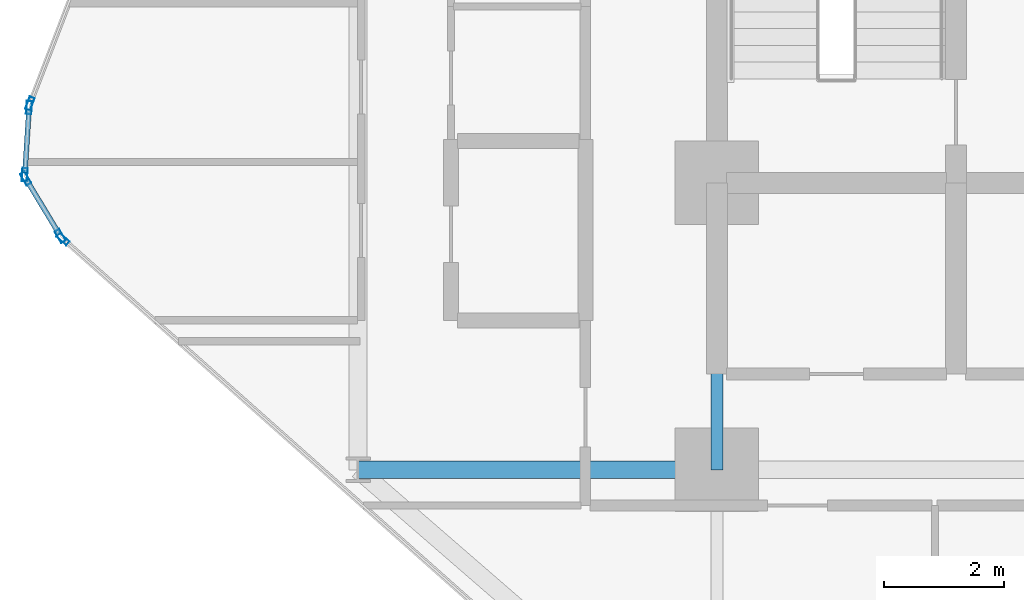
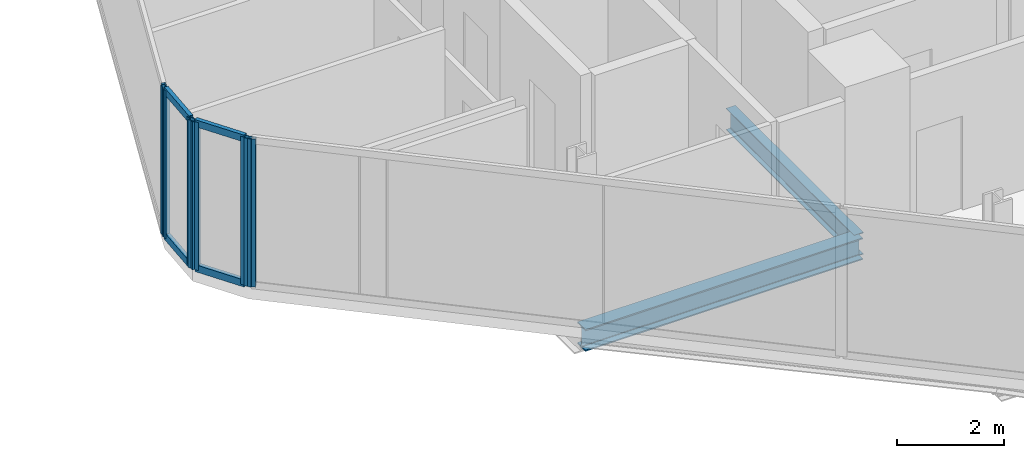
# One storey, part 5 of 33: 10 members, 2 beams, 4 elements without a shape of their own.
"""IFC4 building model written with IfcOpenShell, lengths in metres."""

from ifc_helpers import new_model, si_unit, direction, frame, origin, origin_2d, place, context, subcontext, project, spatial, hollow_rectangle, i_section, extrude, material, layer, layer_set, material_profile, profile_set, type_object, element, aggregate, save


model = new_model("IFC4")

# Units and contexts
model_context = context("Model", 3, precision=1e-05, world=origin(), true_north=direction((0.0, 1.0)))
body_context = subcontext(model_context, "Body", "Model", "MODEL_VIEW")
ifc_project = project(units=[si_unit("LENGTHUNIT", "METRE"), si_unit("AREAUNIT", "SQUARE_METRE"), si_unit("VOLUMEUNIT", "CUBIC_METRE"), si_unit("PLANEANGLEUNIT", "RADIAN"), si_unit("MASSUNIT", "GRAM", prefix="KILO")], contexts=[model_context])

# Site, building, storey
site_placement = place(None, origin())
site = spatial("IfcSite", under=ifc_project, at=site_placement, CompositionType="ELEMENT")
building_placement = place(site_placement, origin())
building = spatial("IfcBuilding", under=site, at=building_placement, Name="Keshet Zoharim Tower", CompositionType="ELEMENT")
storey_placement = place(building_placement, frame((0.0, 0.0, 35.10009765625)))
storey = spatial("IfcBuildingStorey", under=building, at=storey_placement, Name="L07", CompositionType="ELEMENT", Elevation=35.10009765625)

# Beams
ifc_material_1 = material(Name="Steel S355", Category="steel")
ifc_material_profile_1 = material_profile(ifc_material_1, i_section(OverallWidth=0.199951171875, OverallDepth=0.5, WebThickness=0.01025390625, FlangeThickness=0.01611328125, FilletRadius=0.02099609375, at=origin_2d()), Name="IPE500")
ifc_profile_set_1 = profile_set([ifc_material_profile_1], Name="Steel S355")
beam_type_1 = type_object("IfcBeamType", Name="BM-PRI-IP500", PredefinedType="BEAM", material=ifc_profile_set_1)
beam_1_placement = place(storey_placement, frame((15.0, 17.89990234375, -0.565185546875), z_axis=(0.0, 1.0, 0.0), x_axis=(-1.0, 0.0, 0.0)))
element("IfcBeam", 1, at=beam_1_placement, inside=storey, type_object=beam_type_1, Name="L07 Primary Girder Y-003", PredefinedType="BEAM", context=body_context, shape_type="SweptSolid", body=[
    extrude(i_section(OverallWidth=0.199951171875, OverallDepth=0.5, WebThickness=0.01025390625, FlangeThickness=0.01611328125, FilletRadius=0.02099609375, at=origin_2d()), origin(), (0.0, 0.0, 1.0), 4.800048828125),
])
ifc_material_profile_2 = material_profile(ifc_material_1, i_section(OverallWidth=0.300048828125, OverallDepth=0.5, WebThickness=0.014404296875, FlangeThickness=0.028076171875, FilletRadius=0.027099609375, at=origin_2d()), Name="HEB500")
ifc_profile_set_2 = profile_set([ifc_material_profile_2], Name="Steel S355")
beam_type_2 = type_object("IfcBeamType", Name="BM-WEB-HB500", PredefinedType="BEAM", material=ifc_profile_set_2)
beam_2_placement = place(storey_placement, frame((9.0, 17.89990234375, -0.565185546875), z_axis=(1.0, 0.0, 0.0), x_axis=(0.0, 1.0, 0.0)))
element("IfcBeam", 2, at=beam_2_placement, inside=storey, type_object=beam_type_2, Name="L07 Primary Girder X-015", PredefinedType="BEAM", context=body_context, shape_type="SweptSolid", body=[
    extrude(i_section(OverallWidth=0.300048828125, OverallDepth=0.5, WebThickness=0.014404296875, FlangeThickness=0.028076171875, FilletRadius=0.027099609375, at=origin_2d()), origin(), (0.0, 0.0, 1.0), 6.0),
])

# Curtain wall, member
ifc_material_2 = material(Name="Aluminium 6063-T6", Category="aluminium")
ifc_layer = layer(ifc_material_2, 0.179931640625)
ifc_layer_set = layer_set([ifc_layer], Name="Aluminium 6063-T6")
curtain_wall_type = type_object("IfcCurtainWallType", Name="CW-SYS-01", PredefinedType="NOTDEFINED", material=ifc_layer_set)
curtain_wall_1_placement = place(storey_placement, origin())
curtain_wall_1 = element("IfcCurtainWall", 3, at=curtain_wall_1_placement, inside=storey, type_object=curtain_wall_type, Name="L07 Unitised Curtain Wall 01", PredefinedType="NOTDEFINED")
ifc_material_profile_3 = material_profile(ifc_material_2, hollow_rectangle(XDim=0.090087890625, YDim=0.219970703125, WallThickness=0.0048828125, at=origin_2d()), Name="MUL-90x220")
ifc_profile_set_3 = profile_set([ifc_material_profile_3], Name="Aluminium 6063-T6")
member_type_1 = type_object("IfcMemberType", Name="CWM-M22", PredefinedType="MULLION", material=ifc_profile_set_3)
member_1_placement = place(storey_placement, frame((4.061279296875, 21.7568359375, 0.0), z_axis=(0.0, 0.0, 1.0), x_axis=(-0.664363838836, -0.747409318679, 0.0)))
member_1 = element("IfcMember", 4, at=member_1_placement, type_object=member_type_1, Name="CW-01 mullion 3", PredefinedType="MULLION", context=body_context, shape_type="SweptSolid", body=[
    extrude(hollow_rectangle(XDim=0.090087890625, YDim=0.219970703125, WallThickness=0.0048828125, at=origin_2d()), origin(), (0.0, 0.0, 1.0), 3.385009765625),
])
aggregate(curtain_wall_1, [member_1])

# Curtain wall, members
curtain_wall_2_placement = place(storey_placement, origin())
curtain_wall_2 = element("IfcCurtainWall", 5, at=curtain_wall_2_placement, inside=storey, type_object=curtain_wall_type, Name="L07 Unitised Curtain Wall 02", PredefinedType="NOTDEFINED")
member_2_placement = place(storey_placement, frame((4.016845703125, 21.81005859375, 0.0), z_axis=(0.0, 0.0, 1.0), x_axis=(-0.856826433805, -0.515604947933, 0.0)))
member_2 = element("IfcMember", 6, at=member_2_placement, type_object=member_type_1, Name="CW-01 mullion 1", PredefinedType="MULLION", context=body_context, shape_type="SweptSolid", body=[
    extrude(hollow_rectangle(XDim=0.090087890625, YDim=0.219970703125, WallThickness=0.0048828125, at=origin_2d()), origin(), (0.0, 0.0, 1.0), 3.385009765625),
])
member_3_placement = place(storey_placement, frame((3.43798828125, 22.77197265625, 0.0), z_axis=(0.0, 0.0, 1.0), x_axis=(-0.856826433805, -0.515604947933, 0.0)))
member_3 = element("IfcMember", 7, at=member_3_placement, type_object=member_type_1, Name="CW-01 mullion 2", PredefinedType="MULLION", context=body_context, shape_type="SweptSolid", body=[
    extrude(hollow_rectangle(XDim=0.090087890625, YDim=0.219970703125, WallThickness=0.0048828125, at=origin_2d()), origin(), (0.0, 0.0, 1.0), 3.385009765625),
])

curtain_wall_3_placement = place(storey_placement, origin())
curtain_wall_3 = element("IfcCurtainWall", 8, at=curtain_wall_3_placement, inside=storey, type_object=curtain_wall_type, Name="L07 Unitised Curtain Wall 03", PredefinedType="NOTDEFINED")
member_4_placement = place(storey_placement, frame((3.42236328125, 22.8369140625, 0.0), z_axis=(0.0, 0.0, 1.0), x_axis=(-0.997916617186, 0.064516859374, 0.0)))
member_4 = element("IfcMember", 9, at=member_4_placement, type_object=member_type_1, Name="CW-01 mullion 1", PredefinedType="MULLION", context=body_context, shape_type="SweptSolid", body=[
    extrude(hollow_rectangle(XDim=0.090087890625, YDim=0.219970703125, WallThickness=0.0048828125, at=origin_2d()), origin(), (0.0, 0.0, 1.0), 3.385009765625),
])
member_5_placement = place(storey_placement, frame((3.49462890625, 23.9580078125, 0.0), z_axis=(0.0, 0.0, 1.0), x_axis=(-0.997916617186, 0.064516859374, 0.0)))
member_5 = element("IfcMember", 10, at=member_5_placement, type_object=member_type_1, Name="CW-01 mullion 2", PredefinedType="MULLION", context=body_context, shape_type="SweptSolid", body=[
    extrude(hollow_rectangle(XDim=0.090087890625, YDim=0.219970703125, WallThickness=0.0048828125, at=origin_2d()), origin(), (0.0, 0.0, 1.0), 3.385009765625),
])

# Curtain wall, member
curtain_wall_4_placement = place(storey_placement, origin())
curtain_wall_4 = element("IfcCurtainWall", 11, at=curtain_wall_4_placement, inside=storey, type_object=curtain_wall_type, Name="L07 Unitised Curtain Wall 04", PredefinedType="NOTDEFINED")
member_6_placement = place(storey_placement, frame((3.509521484375, 24.025634765625, 0.0), z_axis=(0.0, 0.0, 1.0), x_axis=(-0.933341404361, 0.358990003907, 0.0)))
member_6 = element("IfcMember", 12, at=member_6_placement, type_object=member_type_1, Name="CW-01 mullion 1", PredefinedType="MULLION", context=body_context, shape_type="SweptSolid", body=[
    extrude(hollow_rectangle(XDim=0.090087890625, YDim=0.219970703125, WallThickness=0.0048828125, at=origin_2d()), origin(), (0.0, 0.0, 1.0), 3.385009765625),
])
aggregate(curtain_wall_4, [member_6])

# Member
ifc_material_profile_4 = material_profile(ifc_material_2, hollow_rectangle(XDim=0.0849609375, YDim=0.159912109375, WallThickness=0.00439453125, at=origin_2d()), Name="TRN-85x160")
ifc_profile_set_4 = profile_set([ifc_material_profile_4], Name="Aluminium 6063-T6")
member_type_2 = type_object("IfcMemberType", Name="CWT-T16", PredefinedType="USERDEFINED", material=ifc_profile_set_4)
member_7_placement = place(storey_placement, frame((3.9990234375, 21.840087890625, 0.034912109375), z_axis=(-0.515791194107, 0.856714330499, 0.0), x_axis=(-0.856714330499, -0.515791194107, 0.0)))
member_7 = element("IfcMember", 13, at=member_7_placement, type_object=member_type_2, Name="CW-01 transom 1.1", ObjectType="TRANSOM", PredefinedType="USERDEFINED", context=body_context, shape_type="SweptSolid", body=[
    extrude(hollow_rectangle(XDim=0.0849609375, YDim=0.159912109375, WallThickness=0.00439453125, at=origin_2d()), origin(), (0.0, 0.0, 1.0), 1.052734375),
])

member_8_placement = place(storey_placement, frame((3.9990234375, 21.840087890625, 3.349853515625), z_axis=(-0.515791194107, 0.856714330499, 0.0), x_axis=(-0.856714330499, -0.515791194107, 0.0)))
member_8 = element("IfcMember", 14, at=member_8_placement, type_object=member_type_2, Name="CW-01 transom 1.2", ObjectType="TRANSOM", PredefinedType="USERDEFINED", context=body_context, shape_type="SweptSolid", body=[
    extrude(hollow_rectangle(XDim=0.0849609375, YDim=0.159912109375, WallThickness=0.00439453125, at=origin_2d()), origin(), (0.0, 0.0, 1.0), 1.052734375),
])

aggregate(curtain_wall_2, [member_2, member_3, member_7, member_8])

member_9_placement = place(storey_placement, frame((3.424560546875, 22.871826171875, 0.034912109375), z_axis=(0.064426947155, 0.997922426083, 0.0), x_axis=(-0.997922426083, 0.064426947155, 0.0)))
member_9 = element("IfcMember", 15, at=member_9_placement, type_object=member_type_2, Name="CW-01 transom 1.1", ObjectType="TRANSOM", PredefinedType="USERDEFINED", context=body_context, shape_type="SweptSolid", body=[
    extrude(hollow_rectangle(XDim=0.0849609375, YDim=0.159912109375, WallThickness=0.00439453125, at=origin_2d()), origin(), (0.0, 0.0, 1.0), 1.053466796875),
])

member_10_placement = place(storey_placement, frame((3.424560546875, 22.871826171875, 3.349853515625), z_axis=(0.064426947155, 0.997922426083, 0.0), x_axis=(-0.997922426083, 0.064426947155, 0.0)))
member_10 = element("IfcMember", 16, at=member_10_placement, type_object=member_type_2, Name="CW-01 transom 1.2", ObjectType="TRANSOM", PredefinedType="USERDEFINED", context=body_context, shape_type="SweptSolid", body=[
    extrude(hollow_rectangle(XDim=0.0849609375, YDim=0.159912109375, WallThickness=0.00439453125, at=origin_2d()), origin(), (0.0, 0.0, 1.0), 1.053466796875),
])

aggregate(curtain_wall_3, [member_4, member_5, member_9, member_10])

save(model, "model.ifc")
